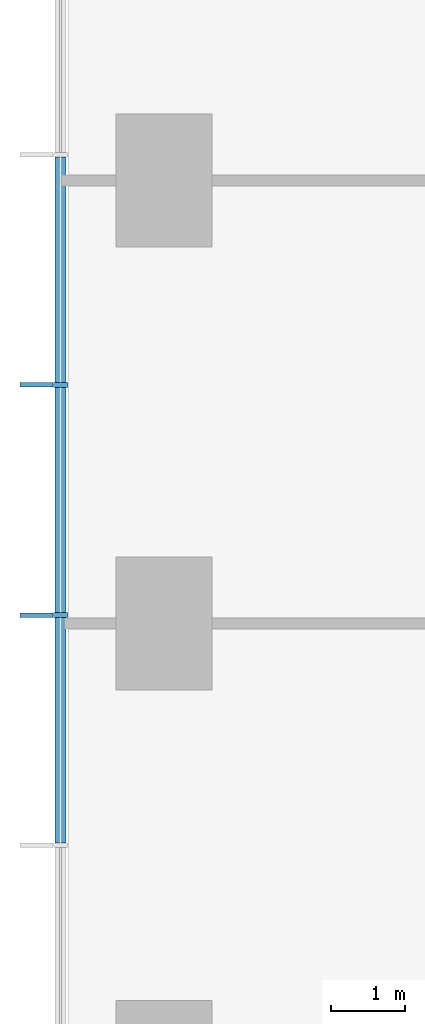
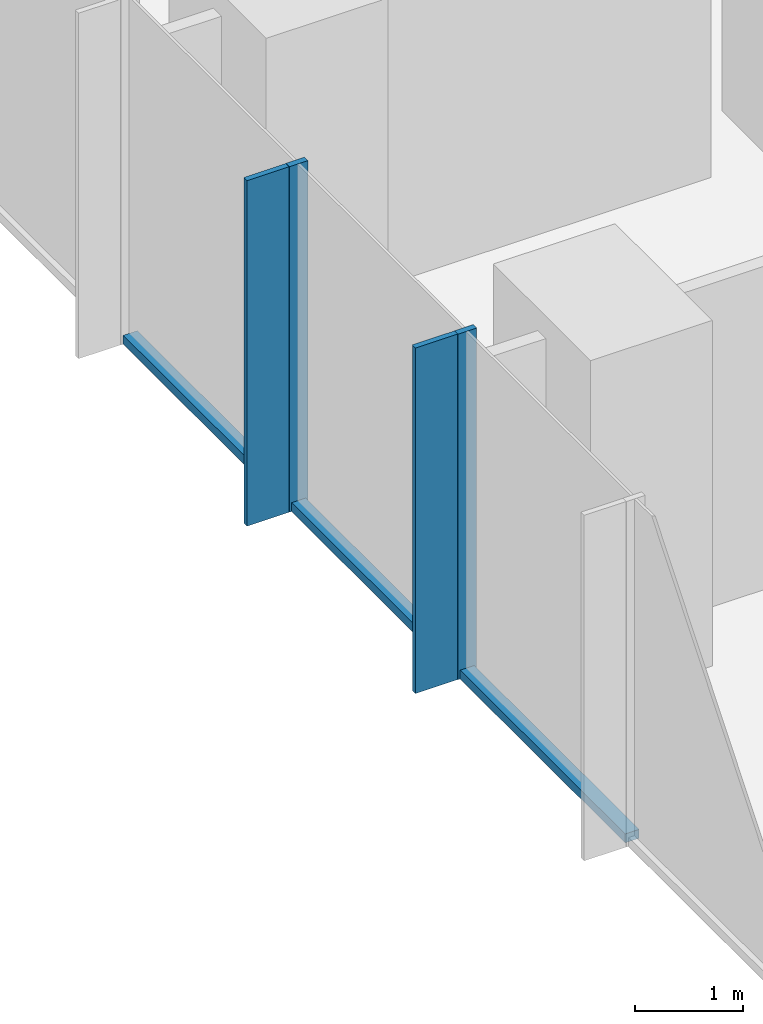
# One storey, part 3 of 12: 7 members, 1 element without a shape of its own.
"""IFC4 building model written with IfcOpenShell, lengths in metres."""

from ifc_helpers import new_model, si_unit, direction, frame, origin, origin_2d, place, context, subcontext, project, spatial, rectangle, extrude, material, layer, layer_set, material_profile, profile_set, type_object, element, aggregate, save


model = new_model("IFC4")

# Units and contexts
model_context = context("Model", 3, precision=1e-05, world=origin(), true_north=direction((0.0, 1.0)))
body_context = subcontext(model_context, "Body", "Model", "MODEL_VIEW")
ifc_project = project(units=[si_unit("LENGTHUNIT", "METRE"), si_unit("AREAUNIT", "SQUARE_METRE"), si_unit("VOLUMEUNIT", "CUBIC_METRE"), si_unit("PLANEANGLEUNIT", "RADIAN"), si_unit("MASSUNIT", "GRAM", prefix="KILO")], contexts=[model_context])

# Site, building, storey
site_placement = place(None, origin())
site = spatial("IfcSite", under=ifc_project, at=site_placement, CompositionType="ELEMENT")
building_placement = place(site_placement, origin())
building = spatial("IfcBuilding", under=site, at=building_placement, Name="Highveld Stack Headquarters", CompositionType="ELEMENT")
storey_placement = place(building_placement, frame((0.0, 0.0, 156.199951171875)))
storey = spatial("IfcBuildingStorey", under=building, at=storey_placement, Name="L38", CompositionType="ELEMENT", Elevation=156.199951171875)

# Curtain wall, members
ifc_material_1 = material(Name="Aluminium bronze anodised", Category="aluminium")
ifc_layer = layer(ifc_material_1, 0.199951171875)
ifc_layer_set = layer_set([ifc_layer], Name="Aluminium bronze anodised")
curtain_wall_type = type_object("IfcCurtainWallType", Name="CW1 TOWER UNITISED CURTAIN WALL", PredefinedType="NOTDEFINED", material=ifc_layer_set)
curtain_wall_placement = place(storey_placement, origin())
curtain_wall = element("IfcCurtainWall", 1, at=curtain_wall_placement, inside=storey, type_object=curtain_wall_type, Name="Curtain wall CW1 L38 W", PredefinedType="NOTDEFINED")
ifc_material_2 = material(Name="Aluminium bronze anodised", Category="aluminium")
ifc_material_profile_1 = material_profile(ifc_material_2, rectangle(XDim=0.449951171875, YDim=0.06005859375, at=origin_2d()), Name="FIN 450x60")
ifc_profile_set_1 = profile_set([ifc_material_profile_1], Name="Aluminium bronze anodised")
member_type_1 = type_object("IfcMemberType", Name="CW1 BRONZE FIN 450x60", PredefinedType="USERDEFINED", material=ifc_profile_set_1)
member_1_placement = place(storey_placement, frame((-19.72509765625, 9.23193359375, 0.0), z_axis=(0.0, 0.0, 1.0), x_axis=(1.0, 0.0, 0.0)))
member_1 = element("IfcMember", 2, at=member_1_placement, type_object=member_type_1, Name="CW1 fin L38 4", ObjectType="FIN", PredefinedType="USERDEFINED", context=body_context, shape_type="SweptSolid", body=[
    extrude(rectangle(XDim=0.449951171875, YDim=0.06005859375, at=origin_2d()), origin(), (0.0, 0.0, 1.0), 3.900146484375),
])
member_2_placement = place(storey_placement, frame((-19.72509765625, 6.115966796875, 0.0), z_axis=(0.0, 0.0, 1.0), x_axis=(1.0, 0.0, 0.0)))
member_2 = element("IfcMember", 3, at=member_2_placement, type_object=member_type_1, Name="CW1 fin L38 5", ObjectType="FIN", PredefinedType="USERDEFINED", context=body_context, shape_type="SweptSolid", body=[
    extrude(rectangle(XDim=0.449951171875, YDim=0.06005859375, at=origin_2d()), origin(), (0.0, 0.0, 1.0), 3.900146484375),
])
ifc_material_3 = material(Name="Aluminium bronze anodised", Category="aluminium")
ifc_material_profile_2 = material_profile(ifc_material_3, rectangle(XDim=0.199951171875, YDim=0.06494140625, at=origin_2d()), Name="CW1 MULLION 65x200")
ifc_profile_set_2 = profile_set([ifc_material_profile_2], Name="Aluminium bronze anodised")
member_type_2 = type_object("IfcMemberType", Name="CW1 MULLION 65x200", PredefinedType="MULLION", material=ifc_profile_set_2)
member_3_placement = place(storey_placement, frame((-19.39990234375, 9.23193359375, 0.0), z_axis=(0.0, 0.0, 1.0), x_axis=(1.0, 0.0, 0.0)))
member_3 = element("IfcMember", 4, at=member_3_placement, type_object=member_type_2, Name="CW1 mullion L38 4", PredefinedType="MULLION", context=body_context, shape_type="SweptSolid", body=[
    extrude(rectangle(XDim=0.199951171875, YDim=0.06494140625, at=origin_2d()), origin(), (0.0, 0.0, 1.0), 3.900146484375),
])
member_4_placement = place(storey_placement, frame((-19.39990234375, 6.115966796875, 0.0), z_axis=(0.0, 0.0, 1.0), x_axis=(1.0, 0.0, 0.0)))
member_4 = element("IfcMember", 5, at=member_4_placement, type_object=member_type_2, Name="CW1 mullion L38 5", PredefinedType="MULLION", context=body_context, shape_type="SweptSolid", body=[
    extrude(rectangle(XDim=0.199951171875, YDim=0.06494140625, at=origin_2d()), origin(), (0.0, 0.0, 1.0), 3.900146484375),
])
ifc_material_4 = material(Name="Aluminium bronze anodised", Category="aluminium")
ifc_material_profile_3 = material_profile(ifc_material_4, rectangle(XDim=0.14990234375, YDim=0.10009765625, at=origin_2d()), Name="CW1 TRANSOM 150x100")
ifc_profile_set_3 = profile_set([ifc_material_profile_3], Name="Aluminium bronze anodised")
member_type_3 = type_object("IfcMemberType", Name="CW1 STACK TRANSOM 150x100", PredefinedType="USERDEFINED", material=ifc_profile_set_3)
member_5_placement = place(storey_placement, frame((-19.39990234375, 12.3154296875, 0.050048828125), z_axis=(0.0, -1.0, 0.0), x_axis=(1.0, 0.0, 0.0)))
member_5 = element("IfcMember", 6, at=member_5_placement, type_object=member_type_3, Name="CW1 transom L38 3.1", ObjectType="TRANSOM", PredefinedType="USERDEFINED", context=body_context, shape_type="SweptSolid", body=[
    extrude(rectangle(XDim=0.14990234375, YDim=0.10009765625, at=origin_2d()), origin(), (0.0, 0.0, 1.0), 3.051025390625),
])
member_6_placement = place(storey_placement, frame((-19.39990234375, 9.199462890625, 0.050048828125), z_axis=(0.0, -1.0, 0.0), x_axis=(1.0, 0.0, 0.0)))
member_6 = element("IfcMember", 7, at=member_6_placement, type_object=member_type_3, Name="CW1 transom L38 4.1", ObjectType="TRANSOM", PredefinedType="USERDEFINED", context=body_context, shape_type="SweptSolid", body=[
    extrude(rectangle(XDim=0.14990234375, YDim=0.10009765625, at=origin_2d()), origin(), (0.0, 0.0, 1.0), 3.051025390625),
])
member_7_placement = place(storey_placement, frame((-19.39990234375, 6.08349609375, 0.050048828125), z_axis=(0.0, -1.0, 0.0), x_axis=(1.0, 0.0, 0.0)))
member_7 = element("IfcMember", 8, at=member_7_placement, type_object=member_type_3, Name="CW1 transom L38 5.1", ObjectType="TRANSOM", PredefinedType="USERDEFINED", context=body_context, shape_type="SweptSolid", body=[
    extrude(rectangle(XDim=0.14990234375, YDim=0.10009765625, at=origin_2d()), origin(), (0.0, 0.0, 1.0), 3.051025390625),
])
aggregate(curtain_wall, [member_3, member_1, member_4, member_2, member_5, member_6, member_7])

save(model, "model.ifc")
